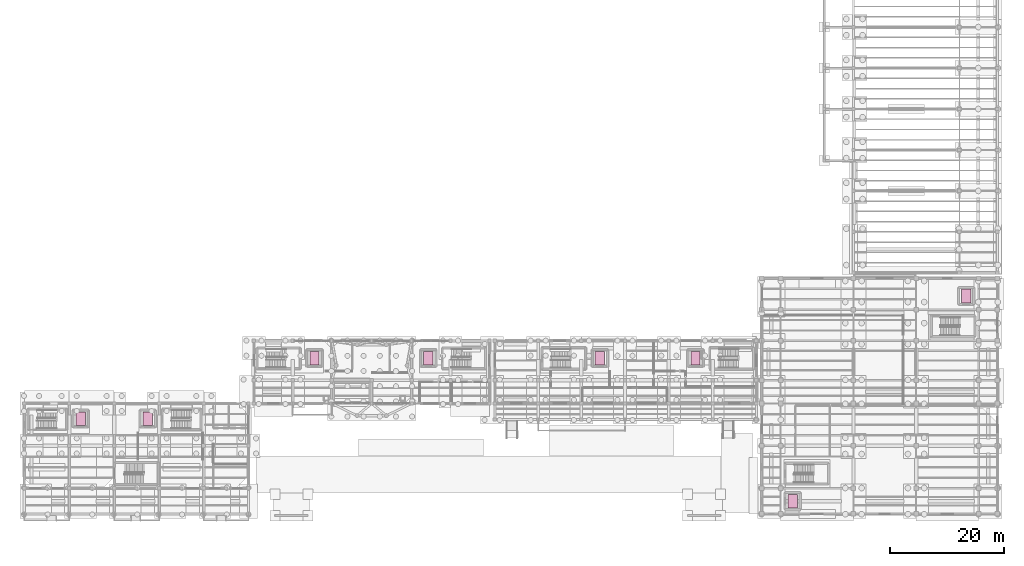
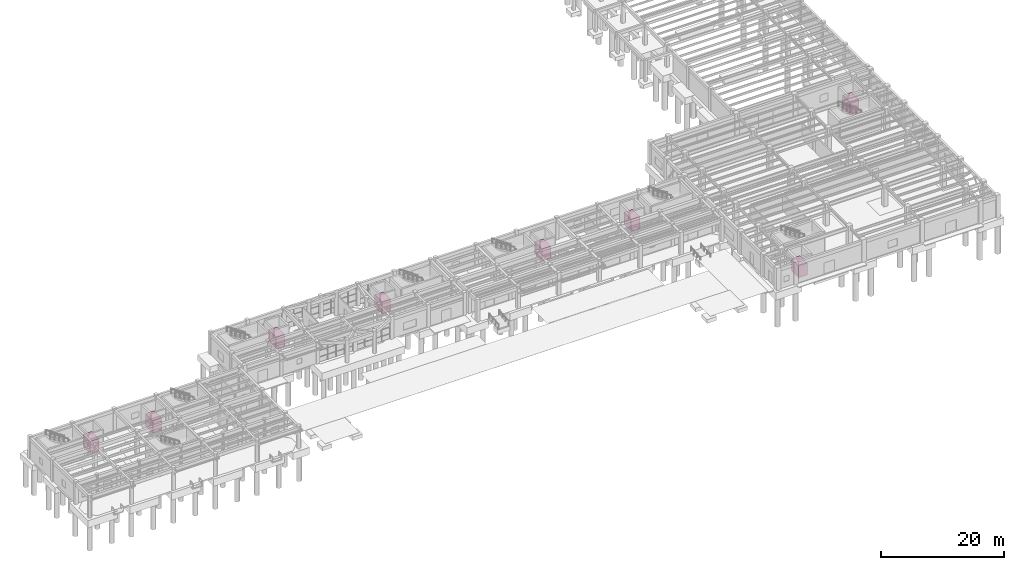
# One storey, part 41 of 41: 8 transport elements.
"""IFC4 building model written with IfcOpenShell, lengths in metres."""

from ifc_helpers import new_model, si_unit, direction, frame, origin, origin_2d, place, context, subcontext, project, spatial, rectangle, extrude, material, type_object, element, save


model = new_model("IFC4")

# Units and contexts
model_context = context("Model", 3, precision=1e-05, world=origin(), true_north=direction((0.0, 1.0)))
body_context = subcontext(model_context, "Body", "Model", "MODEL_VIEW")
ifc_project = project(units=[si_unit("LENGTHUNIT", "METRE"), si_unit("AREAUNIT", "SQUARE_METRE"), si_unit("VOLUMEUNIT", "CUBIC_METRE"), si_unit("PLANEANGLEUNIT", "RADIAN"), si_unit("MASSUNIT", "GRAM", prefix="KILO")], contexts=[model_context])

# Site, building, storey
site_placement = place(None, origin())
site = spatial("IfcSite", under=ifc_project, at=site_placement, CompositionType="ELEMENT")
building_placement = place(site_placement, origin())
building = spatial("IfcBuilding", under=site, at=building_placement, Name="Candilejo Ridge Gondola Terminal", CompositionType="ELEMENT")
storey_placement = place(building_placement, origin())
storey = spatial("IfcBuildingStorey", under=building, at=storey_placement, Name="L00", CompositionType="ELEMENT", Elevation=0.0)

# Transport elements
ifc_material_1 = material(Name="Brushed stainless steel AISI 316", Category="steel")
transport_element_type_1 = type_object("IfcTransportElementType", Name="MEP-LIFT-CAR-PASS", PredefinedType="ELEVATOR", material=ifc_material_1)
for number, where, z_axis, x_axis, name in (
    (1, (14.199951171875, 23.050048828125, 0.0), (0.0, 0.0, 1.0), (1.0, 0.0, 0.0), "Traction elevator LF-V1A"),
    (2, (26.0, 23.050048828125, 0.0), (0.0, 0.0, 1.0), (1.0, 0.0, 0.0), "Traction elevator LF-V1B"),
    (3, (55.300048828125, 33.64990234375, 0.0), (0.0, 0.0, 1.0), (1.0, 0.0, 0.0), "Traction elevator LF-V2A"),
    (4, (75.300048828125, 33.64990234375, 0.0), (0.0, 0.0, 1.0), (1.0, 0.0, 0.0), "Traction elevator LF-V2B"),
):
    element("IfcTransportElement", number, at=place(storey_placement, frame(where, z_axis=z_axis, x_axis=x_axis)), inside=storey, type_object=transport_element_type_1, Name=name, PredefinedType="ELEVATOR", context=body_context, shape_type="SweptSolid", body=[
        extrude(rectangle(XDim=1.64990234375, YDim=2.39990234375, at=origin_2d()), origin(), (0.0, 0.0, 1.0), 2.39990234375),
    ])
ifc_material_2 = material(Name="Brushed stainless steel AISI 316", Category="steel")
transport_element_type_2 = type_object("IfcTransportElementType", Name="MEP-LIFT-CAR-STRETCHER", PredefinedType="ELEVATOR", material=ifc_material_2)
for number, where, z_axis, x_axis, name in (
    (5, (105.449951171875, 33.64990234375, 0.0), (0.0, 0.0, 1.0), (1.0, 0.0, 0.0), "Traction elevator LF-V3A"),
    (6, (122.25, 33.64990234375, 0.0), (0.0, 0.0, 1.0), (1.0, 0.0, 0.0), "Traction elevator LF-V3B"),
    (7, (139.300048828125, 8.550048828125, 0.0), (0.0, 0.0, 1.0), (1.0, 0.0, 0.0), "Traction elevator LF-V4A"),
    (8, (169.800048828125, 44.60009765625, 0.0), (0.0, 0.0, 1.0), (1.0, 0.0, 0.0), "Traction elevator LF-V4B"),
):
    element("IfcTransportElement", number, at=place(storey_placement, frame(where, z_axis=z_axis, x_axis=x_axis)), inside=storey, type_object=transport_element_type_2, Name=name, PredefinedType="ELEVATOR", context=body_context, shape_type="SweptSolid", body=[
        extrude(rectangle(XDim=1.64990234375, YDim=2.39990234375, at=origin_2d()), origin(), (0.0, 0.0, 1.0), 2.39990234375),
    ])

save(model, "model.ifc")
